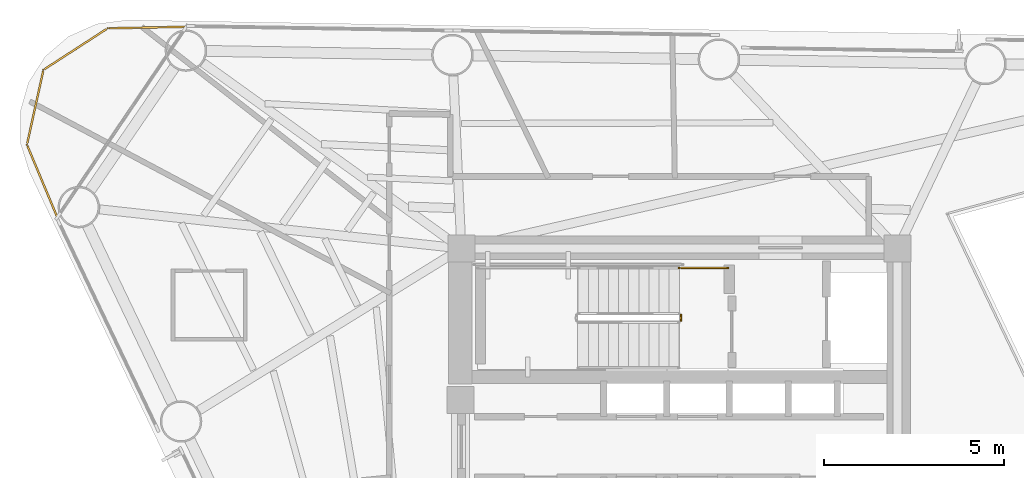
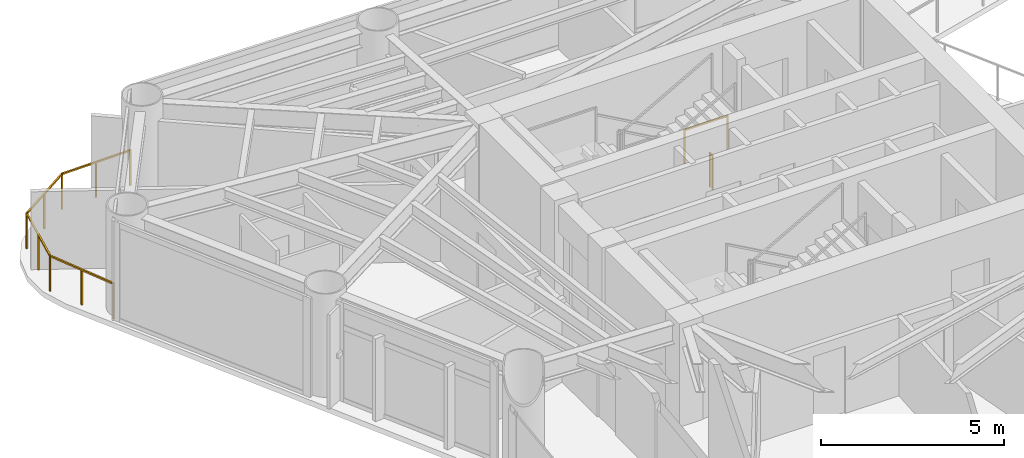
# One storey, part 8 of 9: 3 railings.
"""IFC4 building model written with IfcOpenShell, lengths in metres."""

from ifc_helpers import new_model, si_unit, direction, frame, origin, origin_2d, place, context, subcontext, project, spatial, rectangle, extrude, material, type_object, element, save


model = new_model("IFC4")

# Units and contexts
model_context = context("Model", 3, precision=1e-05, world=origin(), true_north=direction((0.0, 1.0)))
body_context = subcontext(model_context, "Body", "Model", "MODEL_VIEW")
ifc_project = project(units=[si_unit("LENGTHUNIT", "METRE"), si_unit("AREAUNIT", "SQUARE_METRE"), si_unit("VOLUMEUNIT", "CUBIC_METRE"), si_unit("PLANEANGLEUNIT", "RADIAN"), si_unit("MASSUNIT", "GRAM", prefix="KILO")], contexts=[model_context])

# Site, building, storey
site_placement = place(None, origin())
site = spatial("IfcSite", under=ifc_project, at=site_placement, CompositionType="ELEMENT")
building_placement = place(site_placement, origin())
building = spatial("IfcBuilding", under=site, at=building_placement, Name="Yunling Apex Tower", CompositionType="ELEMENT")
storey_placement = place(building_placement, frame((0.0, 0.0, 198.35009765625)))
storey = spatial("IfcBuildingStorey", under=building, at=storey_placement, Name="L48", CompositionType="ELEMENT", Elevation=198.35009765625)

# Railings
ifc_material_1 = material(Name="Bronze anodised aluminium", Category="aluminium")
railing_type_1 = type_object("IfcRailingType", Name="RL-BAL-1200", PredefinedType="BALUSTRADE", material=ifc_material_1)
railing_1_placement = place(storey_placement, frame((-17.253662109375, 6.364990234375, 0.0)))
element("IfcRailing", 1, at=railing_1_placement, inside=storey, type_object=railing_type_1, Name="RL-CRNSILL-L48-2", PredefinedType="BALUSTRADE", context=body_context, shape_type="SweptSolid", body=[
    extrude(rectangle(XDim=0.0439453125, YDim=0.0439453125, at=origin_2d()), origin(), (0.0, 0.0, 1.0), 1.199951171875),
    extrude(rectangle(XDim=0.0439453125, YDim=0.0439453125, at=origin_2d()), frame((-0.842529296875, 2.01416015625, 0.0)), (0.0, 0.0, 1.0), 1.199951171875),
    extrude(rectangle(XDim=0.050048828125, YDim=0.050048828125, at=origin_2d()), frame((-0.014892578125, 0.035400390625, 1.1748046875), z_axis=(-0.385901306975, 0.922540070282, 0.0), x_axis=(-0.922540070282, -0.385901306975, 0.0)), (0.0, 0.0, 1.0), 2.106689453125),
    extrude(rectangle(XDim=0.0439453125, YDim=0.0439453125, at=origin_2d()), frame((-0.42138671875, 1.007080078125, 0.0)), (0.0, 0.0, 1.0), 1.14599609375),
    extrude(rectangle(XDim=0.0439453125, YDim=0.0439453125, at=origin_2d()), frame((-0.384521484375, 4.089111328125, 0.0)), (0.0, 0.0, 1.0), 1.199951171875),
    extrude(rectangle(XDim=0.050048828125, YDim=0.050048828125, at=origin_2d()), frame((-0.834228515625, 2.051513671875, 1.1748046875), z_axis=(0.215543386307, 0.976494264509, 0.0), x_axis=(-0.976494264509, 0.215543386307, 0.0)), (0.0, 0.0, 1.0), 2.04833984375),
    extrude(rectangle(XDim=0.0439453125, YDim=0.0439453125, at=origin_2d()), frame((-0.613525390625, 3.0517578125, 0.0)), (0.0, 0.0, 1.0), 1.14599609375),
    extrude(rectangle(XDim=0.0439453125, YDim=0.0439453125, at=origin_2d()), frame((1.393310546875, 5.240234375, 0.0)), (0.0, 0.0, 1.0), 1.199951171875),
    extrude(rectangle(XDim=0.050048828125, YDim=0.050048828125, at=origin_2d()), frame((-0.352294921875, 4.10986328125, 1.1748046875), z_axis=(0.839406208654, 0.543504569322, 0.0), x_axis=(-0.543504569322, 0.839406208654, 0.0)), (0.0, 0.0, 1.0), 2.041259765625),
    extrude(rectangle(XDim=0.0439453125, YDim=0.0439453125, at=origin_2d()), frame((0.50439453125, 4.66455078125, 0.0)), (0.0, 0.0, 1.0), 1.14599609375),
    extrude(rectangle(XDim=0.0439453125, YDim=0.0439453125, at=origin_2d()), frame((3.5771484375, 5.284423828125, 0.0)), (0.0, 0.0, 1.0), 1.199951171875),
    extrude(rectangle(XDim=0.050048828125, YDim=0.050048828125, at=origin_2d()), frame((1.431640625, 5.240966796875, 1.1748046875), z_axis=(0.999795339927, 0.020230626778, 0.0), x_axis=(-0.020230626778, 0.999795339927, 0.0)), (0.0, 0.0, 1.0), 2.107666015625),
    extrude(rectangle(XDim=0.0439453125, YDim=0.0439453125, at=origin_2d()), frame((2.4853515625, 5.26220703125, 0.0)), (0.0, 0.0, 1.0), 1.14599609375),
])
ifc_material_2 = material(Name="Steel Q355B", Category="steel")
railing_type_2 = type_object("IfcRailingType", Name="RL-GRD-1150", PredefinedType="GUARDRAIL", material=ifc_material_2)
railing_2_placement = place(storey_placement, frame((0.0400390625, 3.64990234375, 0.0)))
element("IfcRailing", 2, at=railing_2_placement, inside=storey, type_object=railing_type_2, Name="L48 ST-1 stair guard 5", PredefinedType="GUARDRAIL", context=body_context, shape_type="SweptSolid", body=[
    extrude(rectangle(XDim=0.0439453125, YDim=0.0439453125, at=origin_2d()), origin(), (0.0, 0.0, 1.0), 1.14990234375),
    extrude(rectangle(XDim=0.0439453125, YDim=0.0439453125, at=origin_2d()), frame((0.0, -0.14990234375, 0.0)), (0.0, 0.0, 1.0), 1.14990234375),
    extrude(rectangle(XDim=0.050048828125, YDim=0.050048828125, at=origin_2d()), frame((0.0, -0.038330078125, 1.125), z_axis=(0.0, -1.0, 0.0), x_axis=(1.0, 0.0, 0.0)), (0.0, 0.0, 1.0), 0.0732421875),
])
railing_3_placement = place(storey_placement, frame((1.35009765625, 4.9599609375, 0.0)))
element("IfcRailing", 3, at=railing_3_placement, inside=storey, type_object=railing_type_2, Name="L48 ST-1 stair guard 6", PredefinedType="GUARDRAIL", context=body_context, shape_type="SweptSolid", body=[
    extrude(rectangle(XDim=0.0439453125, YDim=0.0439453125, at=origin_2d()), origin(), (0.0, 0.0, 1.0), 1.14990234375),
    extrude(rectangle(XDim=0.0439453125, YDim=0.0439453125, at=origin_2d()), frame((-1.360107421875, 0.0, 0.0)), (0.0, 0.0, 1.0), 1.14990234375),
    extrude(rectangle(XDim=0.050048828125, YDim=0.050048828125, at=origin_2d()), frame((-0.038330078125, 0.0, 1.125), z_axis=(-1.0, 0.0, 0.0), x_axis=(0.0, -1.0, 0.0)), (0.0, 0.0, 1.0), 1.283447265625),
])

save(model, "model.ifc")
